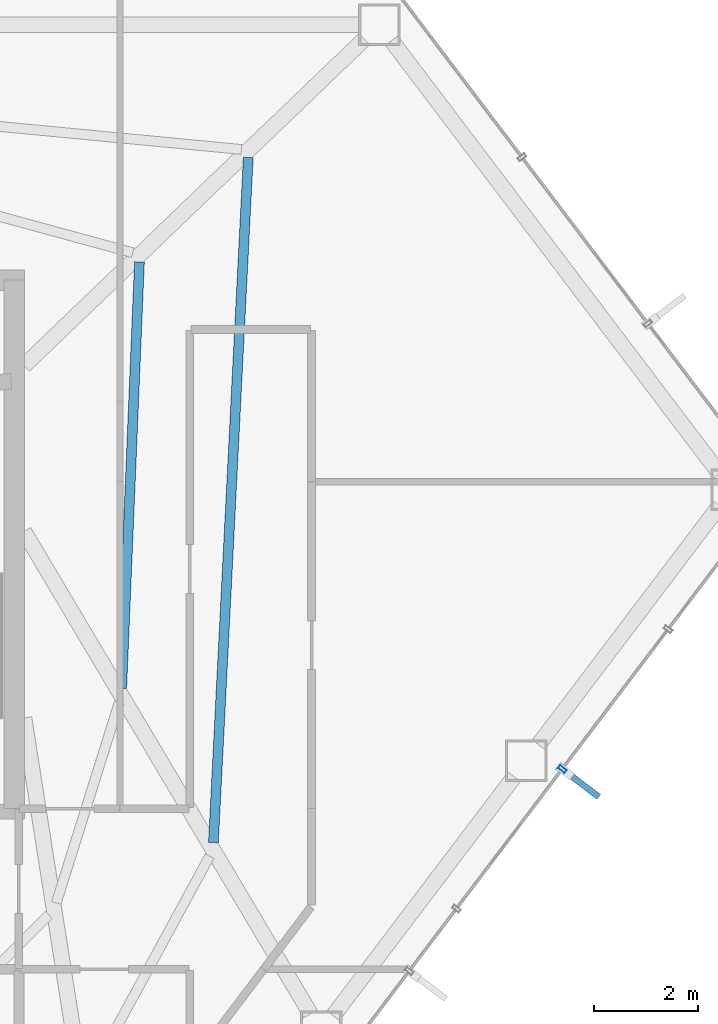
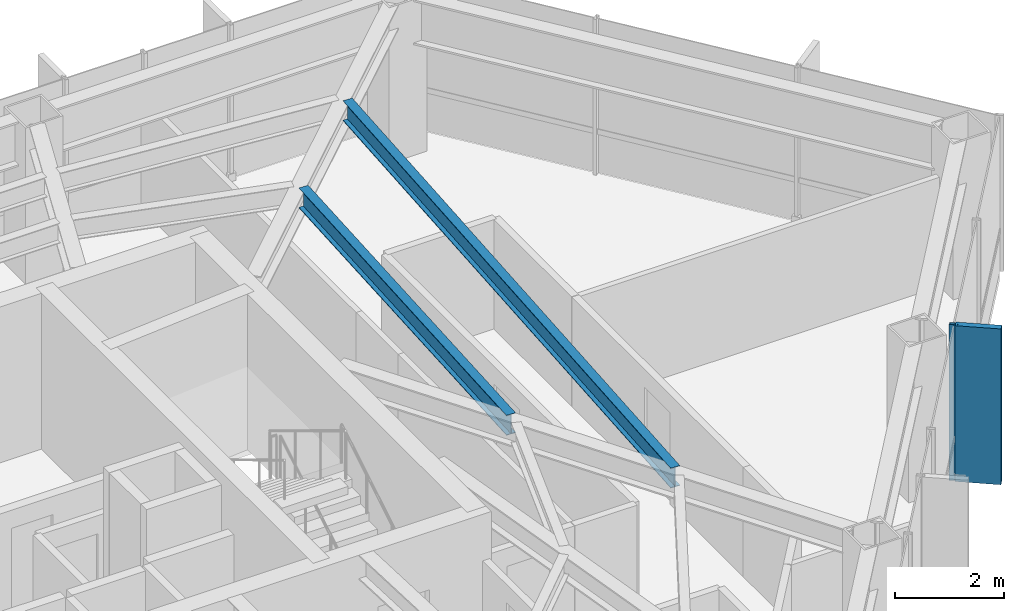
# One storey, part 20 of 28: 2 beams, 2 members, 1 element without a shape of its own.
"""IFC4 building model written with IfcOpenShell, lengths in metres."""

from ifc_helpers import new_model, si_unit, direction, frame, origin, origin_2d, place, context, subcontext, project, spatial, rectangle, hollow_rectangle, i_section, extrude, material, layer, layer_set, material_profile, profile_set, type_object, element, aggregate, save


model = new_model("IFC4")

# Units and contexts
model_context = context("Model", 3, precision=1e-05, world=origin(), true_north=direction((0.0, 1.0)))
body_context = subcontext(model_context, "Body", "Model", "MODEL_VIEW")
ifc_project = project(units=[si_unit("LENGTHUNIT", "METRE"), si_unit("AREAUNIT", "SQUARE_METRE"), si_unit("VOLUMEUNIT", "CUBIC_METRE"), si_unit("PLANEANGLEUNIT", "RADIAN"), si_unit("MASSUNIT", "GRAM", prefix="KILO")], contexts=[model_context])

# Site, building, storey
site_placement = place(None, origin())
site = spatial("IfcSite", under=ifc_project, at=site_placement, CompositionType="ELEMENT")
building_placement = place(site_placement, origin())
building = spatial("IfcBuilding", under=site, at=building_placement, Name="Zarrinselat Tower", CompositionType="ELEMENT")
storey_placement = place(building_placement, frame((0.0, 0.0, 145.860107421875)))
storey = spatial("IfcBuildingStorey", under=building, at=storey_placement, Name="L35", CompositionType="ELEMENT", Elevation=145.860107421875)

# Beams
ifc_material_1 = material(Name="Steel S355J2", Category="steel")
ifc_material_profile_1 = material_profile(ifc_material_1, i_section(OverallWidth=0.18994140625, OverallDepth=0.449951171875, WebThickness=0.009521484375, FlangeThickness=0.0146484375, at=origin_2d()), Name="IPE 450")
ifc_profile_set_1 = profile_set([ifc_material_profile_1], Name="Steel S355J2")
beam_type = type_object("IfcBeamType", Name="BM-IPE450", PredefinedType="JOIST", material=ifc_profile_set_1)
beam_1_placement = place(storey_placement, frame((52.10595703125, 32.59521484375, 3.27490234375), z_axis=(0.050807408392, 0.998708469601, 0.0), x_axis=(-0.998708469601, 0.050807408392, 0.0)))
element("IfcBeam", 1, at=beam_1_placement, inside=storey, type_object=beam_type, Name="L35 Composite Floor Joist 5-1", PredefinedType="JOIST", context=body_context, shape_type="SweptSolid", body=[
    extrude(i_section(OverallWidth=0.18994140625, OverallDepth=0.449951171875, WebThickness=0.009521484375, FlangeThickness=0.0146484375, at=origin_2d()), origin(), (0.0, 0.0, 1.0), 13.2431640625),
])
beam_2_placement = place(storey_placement, frame((50.33544921875, 35.574462890625, 3.27490234375), z_axis=(0.041587392022, 0.999134870188, 0.0), x_axis=(-0.999134870188, 0.041587392022, 0.0)))
element("IfcBeam", 2, at=beam_2_placement, inside=storey, type_object=beam_type, Name="L35 Composite Floor Joist 5-2", PredefinedType="JOIST", context=body_context, shape_type="SweptSolid", body=[
    extrude(i_section(OverallWidth=0.18994140625, OverallDepth=0.449951171875, WebThickness=0.009521484375, FlangeThickness=0.0146484375, at=origin_2d()), origin(), (0.0, 0.0, 1.0), 8.236328125),
])

# Curtain wall, members
ifc_material_2 = material(Name="Extruded Aluminium Alloy EN AW-6063 T6", Category="aluminium")
ifc_layer = layer(ifc_material_2, 0.175048828125)
ifc_layer_set = layer_set([ifc_layer], Name="Extruded Aluminium Alloy EN AW-6063 T6")
curtain_wall_type = type_object("IfcCurtainWallType", Name="CWS-HTL", PredefinedType="NOTDEFINED", material=ifc_layer_set)
curtain_wall_placement = place(storey_placement, origin())
curtain_wall = element("IfcCurtainWall", 3, at=curtain_wall_placement, inside=storey, type_object=curtain_wall_type, Name="L35 Unitised Curtain Wall CW-L35-E05", PredefinedType="NOTDEFINED")
ifc_material_3 = material(Name="Extruded Aluminium Alloy EN AW-6063 T6", Category="aluminium")
ifc_material_profile_2 = material_profile(ifc_material_3, hollow_rectangle(XDim=0.070068359375, YDim=0.159912109375, WallThickness=0.00390625, at=origin_2d()), Name="RHS 160x70x4")
ifc_profile_set_2 = profile_set([ifc_material_profile_2], Name="Extruded Aluminium Alloy EN AW-6063 T6")
member_type_1 = type_object("IfcMemberType", Name="MEM-CW-MUL2", PredefinedType="MULLION", material=ifc_profile_set_2)
member_1_placement = place(storey_placement, frame((58.839111328125, 34.012939453125, 0.0), z_axis=(0.0, 0.0, 1.0), x_axis=(0.603857687995, 0.797092148154, 0.0)))
member_1 = element("IfcMember", 4, at=member_1_placement, type_object=member_type_1, Name="CW-L35-E05 Mullion 7", PredefinedType="MULLION", context=body_context, shape_type="SweptSolid", body=[
    extrude(hollow_rectangle(XDim=0.070068359375, YDim=0.159912109375, WallThickness=0.00390625, at=origin_2d()), origin(), (0.0, 0.0, 1.0), 3.5),
])
ifc_material_4 = material(Name="Honed Cream Travertine Stone", Category="masonry")
ifc_material_profile_3 = material_profile(ifc_material_4, rectangle(XDim=0.1201171875, YDim=0.85009765625, at=origin_2d()), Name="FIN 850x120")
ifc_profile_set_3 = profile_set([ifc_material_profile_3], Name="Honed Cream Travertine Stone")
member_type_2 = type_object("IfcMemberType", Name="MEM-STONE-FIN", PredefinedType="USERDEFINED", material=ifc_profile_set_3)
member_2_placement = place(storey_placement, frame((59.205810546875, 33.735107421875, 0.0), z_axis=(0.0, 0.0, 1.0), x_axis=(-0.603857687995, -0.797092148154, 0.0)))
member_2 = element("IfcMember", 5, at=member_2_placement, type_object=member_type_2, Name="L35 Stone Shading Fin CW-L35-E05-07", ObjectType="FIN", PredefinedType="USERDEFINED", context=body_context, shape_type="SweptSolid", body=[
    extrude(rectangle(XDim=0.1201171875, YDim=0.85009765625, at=origin_2d()), origin(), (0.0, 0.0, 1.0), 3.5),
])
aggregate(curtain_wall, [member_1, member_2])

save(model, "model.ifc")
